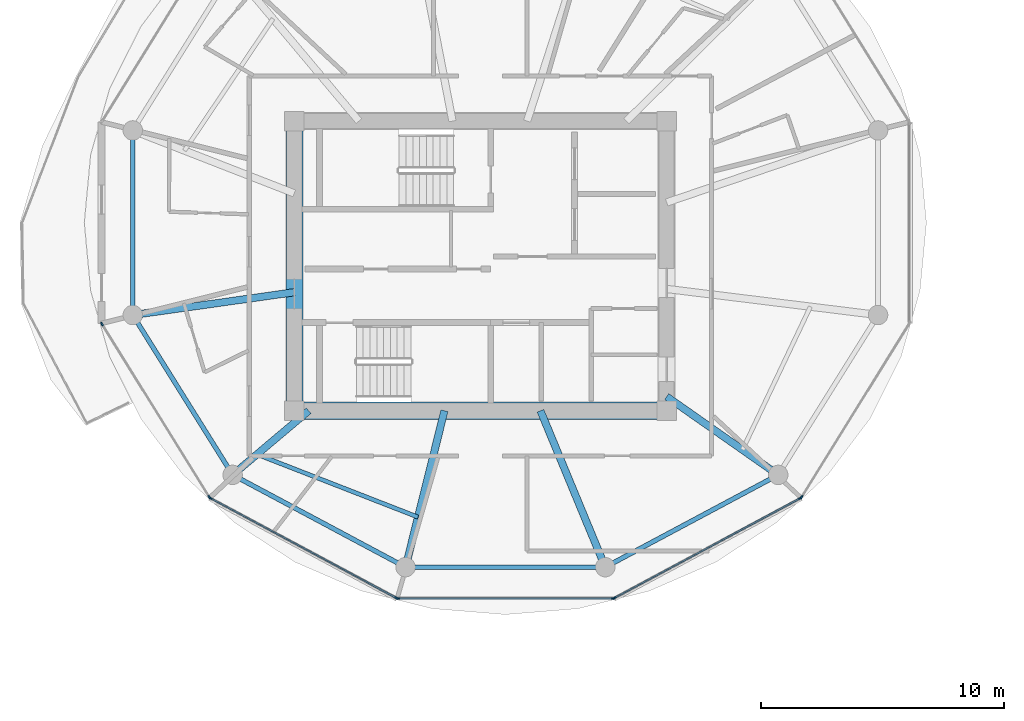
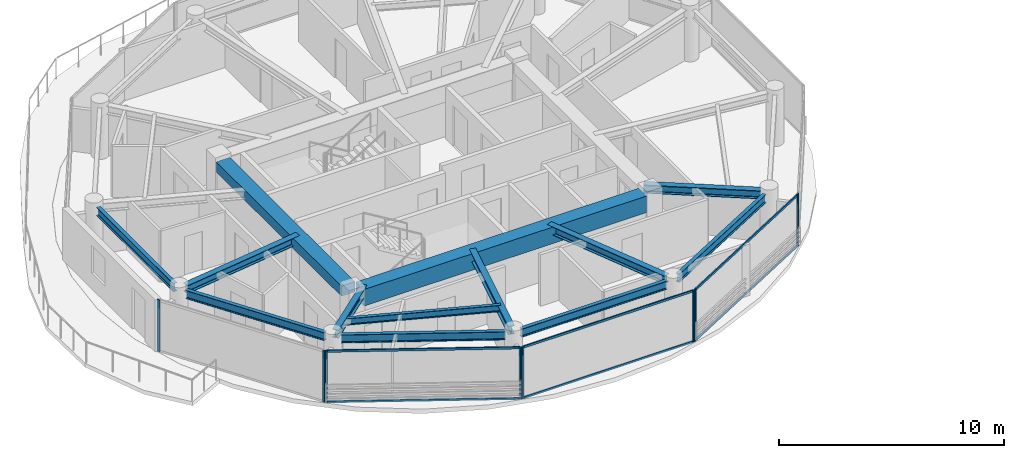
# One storey, part 2 of 22: 15 members, 13 beams, 5 elements without a shape of their own.
"""IFC4 building model written with IfcOpenShell, lengths in metres."""

from ifc_helpers import new_model, si_unit, direction, frame, origin, origin_2d, place, context, subcontext, project, spatial, rectangle, i_section, extrude, source, transform, mapped, material, layer, layer_set, material_profile, profile_set, type_object, type_shapes, element, aggregate, save


model = new_model("IFC4")

# Units and contexts
model_context = context("Model", 3, precision=1e-05, world=origin(), true_north=direction((0.0, 1.0)))
body_context = subcontext(model_context, "Body", "Model", "MODEL_VIEW")
ifc_project = project(units=[si_unit("LENGTHUNIT", "METRE"), si_unit("AREAUNIT", "SQUARE_METRE"), si_unit("VOLUMEUNIT", "CUBIC_METRE"), si_unit("PLANEANGLEUNIT", "RADIAN"), si_unit("MASSUNIT", "GRAM", prefix="KILO")], contexts=[model_context])

# Site, building, storey
site_placement = place(None, origin())
site = spatial("IfcSite", under=ifc_project, at=site_placement, CompositionType="ELEMENT")
building_placement = place(site_placement, origin())
building = spatial("IfcBuilding", under=site, at=building_placement, Name="Norrkilde Senior Care Towers", CompositionType="ELEMENT")
storey_placement = place(building_placement, frame((0.0, 0.0, 152.60009765625)))
storey = spatial("IfcBuildingStorey", under=building, at=storey_placement, Name="L47", CompositionType="ELEMENT", Elevation=152.60009765625)

# Beams
ifc_material_1 = material(Name="Concrete C60/75", Category="concrete")
ifc_material_profile_1 = material_profile(ifc_material_1, rectangle(XDim=0.699951171875, YDim=0.89990234375, at=origin_2d()), Name="RC BM 700x900")
ifc_profile_set_1 = profile_set([ifc_material_profile_1], Name="Concrete C60/75")
beam_type_1 = type_object("IfcBeamType", Name="Core Coupling Girder 700x900", PredefinedType="USERDEFINED", material=ifc_profile_set_1)
shared_shape_1 = source(origin(), body_context, "Body", "SweptSolid", [
    extrude(rectangle(XDim=0.699951171875, YDim=0.89990234375, at=origin_2d()), origin(), (0.0, 0.0, 1.0), 14.5400390625),
])
type_shapes(beam_type_1, [shared_shape_1])
beam_1_placement = place(storey_placement, frame((-35.27001953125, -5.949951171875, 2.35986328125), z_axis=(1.0, 0.0, 0.0), x_axis=(0.0, 1.0, 0.0)))
element("IfcBeam", 1, at=beam_1_placement, inside=storey, type_object=beam_type_1, Name="L47 Core W S Coupling Girder", ObjectType="GIRDER", PredefinedType="USERDEFINED", context=body_context, shape_type="MappedRepresentation", body=[
    mapped(shared_shape_1, transform((0.0, 0.0, 0.0), x_axis=(1.0, 0.0, 0.0), y_axis=(0.0, 1.0, 0.0), z_axis=(0.0, 0.0, 1.0), scale=1.0)),
])
ifc_material_profile_2 = material_profile(ifc_material_1, rectangle(XDim=0.699951171875, YDim=0.550048828125, at=origin_2d()), Name="RC BM 700x550")
ifc_profile_set_2 = profile_set([ifc_material_profile_2], Name="Concrete C60/75")
beam_type_2 = type_object("IfcBeamType", Name="Core Portal Coupling Beam 700x550", PredefinedType="USERDEFINED", material=ifc_profile_set_2)
shared_shape_2 = source(origin(), body_context, "Body", "SweptSolid", [
    extrude(rectangle(XDim=0.699951171875, YDim=0.550048828125, at=origin_2d()), origin(), (0.0, 0.0, 1.0), 11.14013671875),
])
type_shapes(beam_type_2, [shared_shape_2])
beam_2_placement = place(storey_placement, frame((-35.64990234375, -5.570068359375, 2.534912109375), z_axis=(0.0, 1.0, 0.0), x_axis=(-1.0, 0.0, 0.0)))
element("IfcBeam", 2, at=beam_2_placement, inside=storey, type_object=beam_type_2, Name="L47 Core W W Coupling Girder", ObjectType="GIRDER", PredefinedType="USERDEFINED", context=body_context, shape_type="MappedRepresentation", body=[
    mapped(shared_shape_2, transform((0.0, 0.0, 0.0), x_axis=(1.0, 0.0, 0.0), y_axis=(0.0, 1.0, 0.0), z_axis=(0.0, 0.0, 1.0), scale=1.0)),
])
ifc_material_2 = material(Name="Steel S355", Category="steel")
ifc_material_profile_3 = material_profile(ifc_material_2, i_section(OverallWidth=0.18994140625, OverallDepth=0.449951171875, WebThickness=0.009521484375, FlangeThickness=0.0146484375, FilletRadius=0.02099609375, at=origin_2d()), Name="IPE 450")
ifc_profile_set_3 = profile_set([ifc_material_profile_3], Name="Steel S355")
beam_type_3 = type_object("IfcBeamType", Name="Perimeter Ring Spandrel Z3 IPE450", PredefinedType="SPANDREL", material=ifc_profile_set_3)
shared_shape_3 = source(origin(), body_context, "Body", "SweptSolid", [
    extrude(i_section(OverallWidth=0.18994140625, OverallDepth=0.449951171875, WebThickness=0.009521484375, FlangeThickness=0.0146484375, FilletRadius=0.02099609375, at=origin_2d()), origin(), (0.0, 0.0, 1.0), 7.484619140625),
])
beam_3_placement = place(storey_placement, frame((-30.71728515625, -12.37548828125, 2.5849609375), z_axis=(1.0, 0.0, 0.0), x_axis=(0.0, 1.0, 0.0)))
element("IfcBeam", 3, at=beam_3_placement, inside=storey, type_object=beam_type_3, Name="L47 Drum W Perimeter Spandrel 09", PredefinedType="SPANDREL", context=body_context, shape_type="MappedRepresentation", body=[
    mapped(shared_shape_3, transform((0.0, 0.0, 0.0), x_axis=(1.0, 0.0, 0.0), y_axis=(0.0, 1.0, 0.0), z_axis=(0.0, 0.0, 1.0), scale=1.0)),
])
shared_shape_4 = source(origin(), body_context, "Body", "SweptSolid", [
    extrude(i_section(OverallWidth=0.18994140625, OverallDepth=0.449951171875, WebThickness=0.009521484375, FlangeThickness=0.0146484375, FilletRadius=0.02099609375, at=origin_2d()), origin(), (0.0, 0.0, 1.0), 6.86328125),
])
beam_4_placement = place(storey_placement, frame((-42.284912109375, 5.20703125, 2.5849609375), z_axis=(0.0, -1.0, 0.0), x_axis=(1.0, 0.0, 0.0)))
element("IfcBeam", 4, at=beam_4_placement, inside=storey, type_object=beam_type_3, Name="L47 Drum W Perimeter Spandrel 06", PredefinedType="SPANDREL", context=body_context, shape_type="MappedRepresentation", body=[
    mapped(shared_shape_4, transform((0.0, 0.0, 0.0), x_axis=(1.0, 0.0, 0.0), y_axis=(0.0, 1.0, 0.0), z_axis=(0.0, 0.0, 1.0), scale=1.0)),
])
shared_shape_5 = source(origin(), body_context, "Body", "SweptSolid", [
    extrude(i_section(OverallWidth=0.18994140625, OverallDepth=0.449951171875, WebThickness=0.009521484375, FlangeThickness=0.0146484375, FilletRadius=0.02099609375, at=origin_2d()), origin(), (0.0, 0.0, 1.0), 7.023193359375),
])
beam_5_placement = place(storey_placement, frame((-42.09423828125, -2.32177734375, 2.5849609375), z_axis=(0.529805197269, -0.848119362441, 0.0), x_axis=(0.848119362441, 0.529805197269, 0.0)))
element("IfcBeam", 5, at=beam_5_placement, inside=storey, type_object=beam_type_3, Name="L47 Drum W Perimeter Spandrel 07", PredefinedType="SPANDREL", context=body_context, shape_type="MappedRepresentation", body=[
    mapped(shared_shape_5, transform((0.0, 0.0, 0.0), x_axis=(1.0, 0.0, 0.0), y_axis=(0.0, 1.0, 0.0), z_axis=(0.0, 0.0, 1.0), scale=1.0)),
])
ifc_material_profile_4 = material_profile(ifc_material_2, i_section(OverallWidth=0.300048828125, OverallDepth=0.449951171875, WebThickness=0.013916015625, FlangeThickness=0.02587890625, FilletRadius=0.027099609375, at=origin_2d()), Name="HEB 450")
ifc_profile_set_4 = profile_set([ifc_material_profile_4], Name="Steel S355")
beam_type_4 = type_object("IfcBeamType", Name="Radial Floor Beam Z3 HEB450", PredefinedType="BEAM", material=ifc_profile_set_4)
shared_shape_6 = source(origin(), body_context, "Body", "SweptSolid", [
    extrude(i_section(OverallWidth=0.300048828125, OverallDepth=0.449951171875, WebThickness=0.013916015625, FlangeThickness=0.02587890625, FilletRadius=0.027099609375, at=origin_2d()), origin(), (0.0, 0.0, 1.0), 6.3408203125),
])
beam_6_placement = place(storey_placement, frame((-35.64990234375, -1.079833984375, 2.5849609375), z_axis=(-0.990184519576, -0.139766294905, 0.0), x_axis=(0.139766294905, -0.990184519576, 0.0)))
element("IfcBeam", 6, at=beam_6_placement, inside=storey, type_object=beam_type_4, Name="L47 Drum W Radial Floor Beam 07", PredefinedType="BEAM", context=body_context, shape_type="MappedRepresentation", body=[
    mapped(shared_shape_6, transform((0.0, 0.0, 0.0), x_axis=(1.0, 0.0, 0.0), y_axis=(0.0, 1.0, 0.0), z_axis=(0.0, 0.0, 1.0), scale=1.0)),
])
shared_shape_7 = source(origin(), body_context, "Body", "SweptSolid", [
    extrude(i_section(OverallWidth=0.18994140625, OverallDepth=0.449951171875, WebThickness=0.009521484375, FlangeThickness=0.0146484375, FilletRadius=0.02099609375, at=origin_2d()), origin(), (0.0, 0.0, 1.0), 7.333984375),
])
type_shapes(beam_type_3, [shared_shape_3, shared_shape_4, shared_shape_5, shared_shape_7])
for number, where, z_axis, x_axis, name in (
    (7, (-37.864990234375, -8.753173828125, 2.5849609375), (0.882234038987, -0.470811109101, 0.0), (0.470811109101, 0.882234038987, 0.0), "L47 Drum W Perimeter Spandrel 08"),
    (8, (-22.55517578125, -12.2060546875, 2.5849609375), (0.882234038987, 0.470811109101, 0.0), (-0.470811109101, 0.882234038987, 0.0), "L47 Drum W Perimeter Spandrel 10"),
):
    element("IfcBeam", number, at=place(storey_placement, frame(where, z_axis=z_axis, x_axis=x_axis)), inside=storey, type_object=beam_type_3, Name=name, PredefinedType="SPANDREL", context=body_context, shape_type="MappedRepresentation", body=[
        mapped(shared_shape_7, transform((0.0, 0.0, 0.0), x_axis=(1.0, 0.0, 0.0), y_axis=(0.0, 1.0, 0.0), z_axis=(0.0, 0.0, 1.0), scale=1.0)),
    ])
shared_shape_8 = source(origin(), body_context, "Body", "SweptSolid", [
    extrude(i_section(OverallWidth=0.300048828125, OverallDepth=0.449951171875, WebThickness=0.013916015625, FlangeThickness=0.02587890625, FilletRadius=0.027099609375, at=origin_2d()), origin(), (0.0, 0.0, 1.0), 3.7265625),
])
beam_7_placement = place(storey_placement, frame((-35.058349609375, -5.949951171875, 2.5849609375), z_axis=(-0.764567902106, -0.644543189453, 0.0), x_axis=(0.644543189453, -0.764567902106, 0.0)))
element("IfcBeam", 9, at=beam_7_placement, inside=storey, type_object=beam_type_4, Name="L47 Drum W Radial Floor Beam 08", PredefinedType="BEAM", context=body_context, shape_type="MappedRepresentation", body=[
    mapped(shared_shape_8, transform((0.0, 0.0, 0.0), x_axis=(1.0, 0.0, 0.0), y_axis=(0.0, 1.0, 0.0), z_axis=(0.0, 0.0, 1.0), scale=1.0)),
])
shared_shape_9 = source(origin(), body_context, "Body", "SweptSolid", [
    extrude(i_section(OverallWidth=0.300048828125, OverallDepth=0.449951171875, WebThickness=0.013916015625, FlangeThickness=0.02587890625, FilletRadius=0.027099609375, at=origin_2d()), origin(), (0.0, 0.0, 1.0), 6.26123046875),
])
beam_8_placement = place(storey_placement, frame((-29.4794921875, -5.949951171875, 2.5849609375), z_axis=(-0.241324375921, -0.970444509277, 0.0), x_axis=(0.970444509277, -0.241324375921, 0.0)))
element("IfcBeam", 10, at=beam_8_placement, inside=storey, type_object=beam_type_4, Name="L47 Drum W Radial Floor Beam 09", PredefinedType="BEAM", context=body_context, shape_type="MappedRepresentation", body=[
    mapped(shared_shape_9, transform((0.0, 0.0, 0.0), x_axis=(1.0, 0.0, 0.0), y_axis=(0.0, 1.0, 0.0), z_axis=(0.0, 0.0, 1.0), scale=1.0)),
])
shared_shape_10 = source(origin(), body_context, "Body", "SweptSolid", [
    extrude(i_section(OverallWidth=0.300048828125, OverallDepth=0.449951171875, WebThickness=0.013916015625, FlangeThickness=0.02587890625, FilletRadius=0.027099609375, at=origin_2d()), origin(), (0.0, 0.0, 1.0), 6.59521484375),
])
beam_9_placement = place(storey_placement, frame((-25.534912109375, -5.949951171875, 2.5849609375), z_axis=(0.382761541363, -0.923847174836, 0.0), x_axis=(0.923847174836, 0.382761541363, 0.0)))
element("IfcBeam", 11, at=beam_9_placement, inside=storey, type_object=beam_type_4, Name="L47 Drum W Radial Floor Beam 10", PredefinedType="BEAM", context=body_context, shape_type="MappedRepresentation", body=[
    mapped(shared_shape_10, transform((0.0, 0.0, 0.0), x_axis=(1.0, 0.0, 0.0), y_axis=(0.0, 1.0, 0.0), z_axis=(0.0, 0.0, 1.0), scale=1.0)),
])
shared_shape_11 = source(origin(), body_context, "Body", "SweptSolid", [
    extrude(i_section(OverallWidth=0.300048828125, OverallDepth=0.449951171875, WebThickness=0.013916015625, FlangeThickness=0.02587890625, FilletRadius=0.027099609375, at=origin_2d()), origin(), (0.0, 0.0, 1.0), 5.23828125),
])
type_shapes(beam_type_4, [shared_shape_6, shared_shape_8, shared_shape_9, shared_shape_10, shared_shape_11])
beam_10_placement = place(storey_placement, frame((-20.35009765625, -5.3681640625, 2.5849609375), z_axis=(0.818592061291, -0.574375345215, 0.0), x_axis=(0.574375345215, 0.818592061291, 0.0)))
element("IfcBeam", 12, at=beam_10_placement, inside=storey, type_object=beam_type_4, Name="L47 Drum W Radial Floor Beam 11", PredefinedType="BEAM", context=body_context, shape_type="MappedRepresentation", body=[
    mapped(shared_shape_11, transform((0.0, 0.0, 0.0), x_axis=(1.0, 0.0, 0.0), y_axis=(0.0, 1.0, 0.0), z_axis=(0.0, 0.0, 1.0), scale=1.0)),
])
ifc_material_profile_5 = material_profile(ifc_material_2, i_section(OverallWidth=0.169921875, OverallDepth=0.360107421875, WebThickness=0.008056640625, FlangeThickness=0.0126953125, FilletRadius=0.01806640625, at=origin_2d()), Name="IPE 360")
ifc_profile_set_5 = profile_set([ifc_material_profile_5], Name="Steel S355")
beam_type_5 = type_object("IfcBeamType", Name="Secondary Floor Joist IPE360", PredefinedType="JOIST", material=ifc_profile_set_5)
shared_shape_12 = source(origin(), body_context, "Body", "SweptSolid", [
    extrude(i_section(OverallWidth=0.169921875, OverallDepth=0.360107421875, WebThickness=0.008056640625, FlangeThickness=0.0126953125, FilletRadius=0.01806640625, at=origin_2d()), origin(), (0.0, 0.0, 1.0), 7.1015625),
])
type_shapes(beam_type_5, [shared_shape_12])
beam_11_placement = place(storey_placement, frame((-37.182861328125, -7.740966796875, 2.6298828125), z_axis=(0.931761231292, -0.363071629106, 0.0), x_axis=(0.363071629106, 0.931761231292, 0.0)))
element("IfcBeam", 13, at=beam_11_placement, inside=storey, type_object=beam_type_5, Name="L47 Drum W Secondary Floor Joist 3", PredefinedType="JOIST", context=body_context, shape_type="MappedRepresentation", body=[
    mapped(shared_shape_12, transform((0.0, 0.0, 0.0), x_axis=(1.0, 0.0, 0.0), y_axis=(0.0, 1.0, 0.0), z_axis=(0.0, 0.0, 1.0), scale=1.0)),
])

# Curtain wall, members
ifc_material_3 = material(Name="Triple Low-E Insulated Glazing", Category="glass")
ifc_layer = layer(ifc_material_3, 0.18994140625)
ifc_layer_set = layer_set([ifc_layer], Name="Triple Low-E Insulated Glazing")
curtain_wall_type = type_object("IfcCurtainWallType", Name="CW4 Zone 3 Senior Residence Curtain Wall", PredefinedType="NOTDEFINED", material=ifc_layer_set)
curtain_wall_1_placement = place(storey_placement, origin())
curtain_wall_1 = element("IfcCurtainWall", 14, at=curtain_wall_1_placement, inside=storey, type_object=curtain_wall_type, Name="L47 Drum W Curtain Wall 09", PredefinedType="NOTDEFINED")
ifc_material_4 = material(Name="Anodised Aluminium", Category="aluminium")
ifc_material_profile_6 = material_profile(ifc_material_4, rectangle(XDim=0.06005859375, YDim=0.1201171875, at=origin_2d()), Name="ALU TRAN 60x120")
ifc_profile_set_6 = profile_set([ifc_material_profile_6], Name="Anodised Aluminium")
member_type_1 = type_object("IfcMemberType", Name="Curtain Wall Transom Typical 60x120", PredefinedType="USERDEFINED", material=ifc_profile_set_6)
shared_shape_13 = source(origin(), body_context, "Body", "SweptSolid", [
    extrude(rectangle(XDim=0.06005859375, YDim=0.1201171875, at=origin_2d()), origin(), (0.0, 0.0, 1.0), 8.61181640625),
])
member_1_placement = place(storey_placement, frame((-14.88427734375, -9.554931640625, 0.02978515625), z_axis=(-0.880993991641, -0.473127452906, 0.0), x_axis=(0.473127452906, -0.880993991641, 0.0)))
member_1 = element("IfcMember", 15, at=member_1_placement, type_object=member_type_1, Name="CW-4 transom 1.1", ObjectType="TRANSOM", PredefinedType="USERDEFINED", context=body_context, shape_type="MappedRepresentation", body=[
    mapped(shared_shape_13, transform((0.0, 0.0, 0.0), x_axis=(1.0, 0.0, 0.0), y_axis=(0.0, 1.0, 0.0), z_axis=(0.0, 0.0, 1.0), scale=1.0)),
])
member_2_placement = place(storey_placement, frame((-14.88427734375, -9.554931640625, 2.77978515625), z_axis=(-0.880993991641, -0.473127452906, 0.0), x_axis=(0.473127452906, -0.880993991641, 0.0)))
member_2 = element("IfcMember", 16, at=member_2_placement, type_object=member_type_1, Name="CW-4 transom 1.2", ObjectType="TRANSOM", PredefinedType="USERDEFINED", context=body_context, shape_type="MappedRepresentation", body=[
    mapped(shared_shape_13, transform((0.0, 0.0, 0.0), x_axis=(1.0, 0.0, 0.0), y_axis=(0.0, 1.0, 0.0), z_axis=(0.0, 0.0, 1.0), scale=1.0)),
])

curtain_wall_2_placement = place(storey_placement, origin())
curtain_wall_2 = element("IfcCurtainWall", 17, at=curtain_wall_2_placement, inside=storey, type_object=curtain_wall_type, Name="L47 Drum W Curtain Wall 08", PredefinedType="NOTDEFINED")
shared_shape_14 = source(origin(), body_context, "Body", "SweptSolid", [
    extrude(rectangle(XDim=0.06005859375, YDim=0.1201171875, at=origin_2d()), origin(), (0.0, 0.0, 1.0), 8.762939453125),
])
member_3_placement = place(storey_placement, frame((-22.593505859375, -13.66015625, 0.02978515625), z_axis=(-1.0, 0.0, 0.0), x_axis=(0.0, -1.0, 0.0)))
member_3 = element("IfcMember", 18, at=member_3_placement, type_object=member_type_1, Name="CW-4 transom 1.1", ObjectType="TRANSOM", PredefinedType="USERDEFINED", context=body_context, shape_type="MappedRepresentation", body=[
    mapped(shared_shape_14, transform((0.0, 0.0, 0.0), x_axis=(1.0, 0.0, 0.0), y_axis=(0.0, 1.0, 0.0), z_axis=(0.0, 0.0, 1.0), scale=1.0)),
])
member_4_placement = place(storey_placement, frame((-22.593505859375, -13.66015625, 2.77978515625), z_axis=(-1.0, 0.0, 0.0), x_axis=(0.0, -1.0, 0.0)))
member_4 = element("IfcMember", 19, at=member_4_placement, type_object=member_type_1, Name="CW-4 transom 1.2", ObjectType="TRANSOM", PredefinedType="USERDEFINED", context=body_context, shape_type="MappedRepresentation", body=[
    mapped(shared_shape_14, transform((0.0, 0.0, 0.0), x_axis=(1.0, 0.0, 0.0), y_axis=(0.0, 1.0, 0.0), z_axis=(0.0, 0.0, 1.0), scale=1.0)),
])

curtain_wall_3_placement = place(storey_placement, origin())
curtain_wall_3 = element("IfcCurtainWall", 20, at=curtain_wall_3_placement, inside=storey, type_object=curtain_wall_type, Name="L47 Drum W Curtain Wall 07", PredefinedType="NOTDEFINED")
shared_shape_15 = source(origin(), body_context, "Body", "SweptSolid", [
    extrude(rectangle(XDim=0.06005859375, YDim=0.1201171875, at=origin_2d()), origin(), (0.0, 0.0, 1.0), 8.612060546875),
])
type_shapes(member_type_1, [shared_shape_13, shared_shape_14, shared_shape_15])
member_5_placement = place(storey_placement, frame((-31.478759765625, -13.62939453125, 0.02978515625), z_axis=(-0.881000337462, 0.473115636384, 0.0), x_axis=(-0.473115636384, -0.881000337462, 0.0)))
member_5 = element("IfcMember", 21, at=member_5_placement, type_object=member_type_1, Name="CW-4 transom 1.1", ObjectType="TRANSOM", PredefinedType="USERDEFINED", context=body_context, shape_type="MappedRepresentation", body=[
    mapped(shared_shape_15, transform((0.0, 0.0, 0.0), x_axis=(1.0, 0.0, 0.0), y_axis=(0.0, 1.0, 0.0), z_axis=(0.0, 0.0, 1.0), scale=1.0)),
])
member_6_placement = place(storey_placement, frame((-31.478759765625, -13.62939453125, 2.77978515625), z_axis=(-0.881000337462, 0.473115636384, 0.0), x_axis=(-0.473115636384, -0.881000337462, 0.0)))
member_6 = element("IfcMember", 22, at=member_6_placement, type_object=member_type_1, Name="CW-4 transom 1.2", ObjectType="TRANSOM", PredefinedType="USERDEFINED", context=body_context, shape_type="MappedRepresentation", body=[
    mapped(shared_shape_15, transform((0.0, 0.0, 0.0), x_axis=(1.0, 0.0, 0.0), y_axis=(0.0, 1.0, 0.0), z_axis=(0.0, 0.0, 1.0), scale=1.0)),
])

curtain_wall_4_placement = place(storey_placement, origin())
curtain_wall_4 = element("IfcCurtainWall", 23, at=curtain_wall_4_placement, inside=storey, type_object=curtain_wall_type, Name="L47 Drum W Curtain Wall 06", PredefinedType="NOTDEFINED")
ifc_material_profile_7 = material_profile(ifc_material_4, rectangle(XDim=0.06494140625, YDim=0.14990234375, at=origin_2d()), Name="ALU MULL 65x150")
ifc_profile_set_7 = profile_set([ifc_material_profile_7], Name="Anodised Aluminium")
member_type_2 = type_object("IfcMemberType", Name="Curtain Wall Mullion Z3-Z4 65x150", PredefinedType="MULLION", material=ifc_profile_set_7)
shared_shape_16 = source(origin(), body_context, "Body", "SweptSolid", [
    extrude(rectangle(XDim=0.06494140625, YDim=0.14990234375, at=origin_2d()), origin(), (0.0, 0.0, 1.0), 2.809814453125),
])
type_shapes(member_type_2, [shared_shape_16])
member_7_placement = place(storey_placement, frame((-39.14013671875, -9.49658203125, 0.0), z_axis=(0.0, 0.0, 1.0), x_axis=(-0.84963405474, -0.52737270789, 0.0)))
member_7 = element("IfcMember", 24, at=member_7_placement, type_object=member_type_2, Name="CW-4 mullion 1", PredefinedType="MULLION", context=body_context, shape_type="MappedRepresentation", body=[
    mapped(shared_shape_16, transform((0.0, 0.0, 0.0), x_axis=(1.0, 0.0, 0.0), y_axis=(0.0, 1.0, 0.0), z_axis=(0.0, 0.0, 1.0), scale=1.0)),
])
member_8_placement = place(storey_placement, frame((-43.552490234375, -2.38818359375, 0.0), z_axis=(0.0, 0.0, 1.0), x_axis=(-0.84963405474, -0.52737270789, 0.0)))
member_8 = element("IfcMember", 25, at=member_8_placement, type_object=member_type_2, Name="CW-4 mullion 2", PredefinedType="MULLION", context=body_context, shape_type="MappedRepresentation", body=[
    mapped(shared_shape_16, transform((0.0, 0.0, 0.0), x_axis=(1.0, 0.0, 0.0), y_axis=(0.0, 1.0, 0.0), z_axis=(0.0, 0.0, 1.0), scale=1.0)),
])
aggregate(curtain_wall_4, [member_7, member_8])

# Member
member_9_placement = place(storey_placement, frame((-31.4501953125, -13.644775390625, 0.0), z_axis=(0.0, 0.0, 1.0), x_axis=(-0.47311715104, -0.880999524059, 0.0)))
member_9 = element("IfcMember", 26, at=member_9_placement, type_object=member_type_2, Name="CW-4 mullion 1", PredefinedType="MULLION", context=body_context, shape_type="MappedRepresentation", body=[
    mapped(shared_shape_16, transform((0.0, 0.0, 0.0), x_axis=(1.0, 0.0, 0.0), y_axis=(0.0, 1.0, 0.0), z_axis=(0.0, 0.0, 1.0), scale=1.0)),
])

member_10_placement = place(storey_placement, frame((-39.094482421875, -9.53955078125, 0.0), z_axis=(0.0, 0.0, 1.0), x_axis=(-0.47311715104, -0.880999524059, 0.0)))
member_10 = element("IfcMember", 27, at=member_10_placement, type_object=member_type_2, Name="CW-4 mullion 2", PredefinedType="MULLION", context=body_context, shape_type="MappedRepresentation", body=[
    mapped(shared_shape_16, transform((0.0, 0.0, 0.0), x_axis=(1.0, 0.0, 0.0), y_axis=(0.0, 1.0, 0.0), z_axis=(0.0, 0.0, 1.0), scale=1.0)),
])

aggregate(curtain_wall_3, [member_9, member_10, member_5, member_6])

member_11_placement = place(storey_placement, frame((-22.56103515625, -13.66015625, 0.0), z_axis=(0.0, 0.0, 1.0), x_axis=(0.0, -1.0, 0.0)))
member_11 = element("IfcMember", 28, at=member_11_placement, type_object=member_type_2, Name="CW-4 mullion 1", PredefinedType="MULLION", context=body_context, shape_type="MappedRepresentation", body=[
    mapped(shared_shape_16, transform((0.0, 0.0, 0.0), x_axis=(1.0, 0.0, 0.0), y_axis=(0.0, 1.0, 0.0), z_axis=(0.0, 0.0, 1.0), scale=1.0)),
])

member_12_placement = place(storey_placement, frame((-31.388916015625, -13.66015625, 0.0), z_axis=(0.0, 0.0, 1.0), x_axis=(0.0, -1.0, 0.0)))
member_12 = element("IfcMember", 29, at=member_12_placement, type_object=member_type_2, Name="CW-4 mullion 2", PredefinedType="MULLION", context=body_context, shape_type="MappedRepresentation", body=[
    mapped(shared_shape_16, transform((0.0, 0.0, 0.0), x_axis=(1.0, 0.0, 0.0), y_axis=(0.0, 1.0, 0.0), z_axis=(0.0, 0.0, 1.0), scale=1.0)),
])

aggregate(curtain_wall_2, [member_11, member_12, member_3, member_4])

member_13_placement = place(storey_placement, frame((-14.85546875, -9.53955078125, 0.0), z_axis=(0.0, 0.0, 1.0), x_axis=(0.47311715104, -0.880999524059, 0.0)))
member_13 = element("IfcMember", 30, at=member_13_placement, type_object=member_type_2, Name="CW-4 mullion 1", PredefinedType="MULLION", context=body_context, shape_type="MappedRepresentation", body=[
    mapped(shared_shape_16, transform((0.0, 0.0, 0.0), x_axis=(1.0, 0.0, 0.0), y_axis=(0.0, 1.0, 0.0), z_axis=(0.0, 0.0, 1.0), scale=1.0)),
])

member_14_placement = place(storey_placement, frame((-22.499755859375, -13.644775390625, 0.0), z_axis=(0.0, 0.0, 1.0), x_axis=(0.47311715104, -0.880999524059, 0.0)))
member_14 = element("IfcMember", 31, at=member_14_placement, type_object=member_type_2, Name="CW-4 mullion 2", PredefinedType="MULLION", context=body_context, shape_type="MappedRepresentation", body=[
    mapped(shared_shape_16, transform((0.0, 0.0, 0.0), x_axis=(1.0, 0.0, 0.0), y_axis=(0.0, 1.0, 0.0), z_axis=(0.0, 0.0, 1.0), scale=1.0)),
])

aggregate(curtain_wall_1, [member_13, member_14, member_1, member_2])

# Curtain wall, member
curtain_wall_5_placement = place(storey_placement, origin())
curtain_wall_5 = element("IfcCurtainWall", 32, at=curtain_wall_5_placement, inside=storey, type_object=curtain_wall_type, Name="L47 Drum W Curtain Wall 10", PredefinedType="NOTDEFINED")
member_15_placement = place(storey_placement, frame((-14.809814453125, -9.49658203125, 0.0), z_axis=(0.0, 0.0, 1.0), x_axis=(0.84963405474, -0.52737270789, 0.0)))
member_15 = element("IfcMember", 33, at=member_15_placement, type_object=member_type_2, Name="CW-4 mullion 2", PredefinedType="MULLION", context=body_context, shape_type="MappedRepresentation", body=[
    mapped(shared_shape_16, transform((0.0, 0.0, 0.0), x_axis=(1.0, 0.0, 0.0), y_axis=(0.0, 1.0, 0.0), z_axis=(0.0, 0.0, 1.0), scale=1.0)),
])
aggregate(curtain_wall_5, [member_15])

save(model, "model.ifc")
